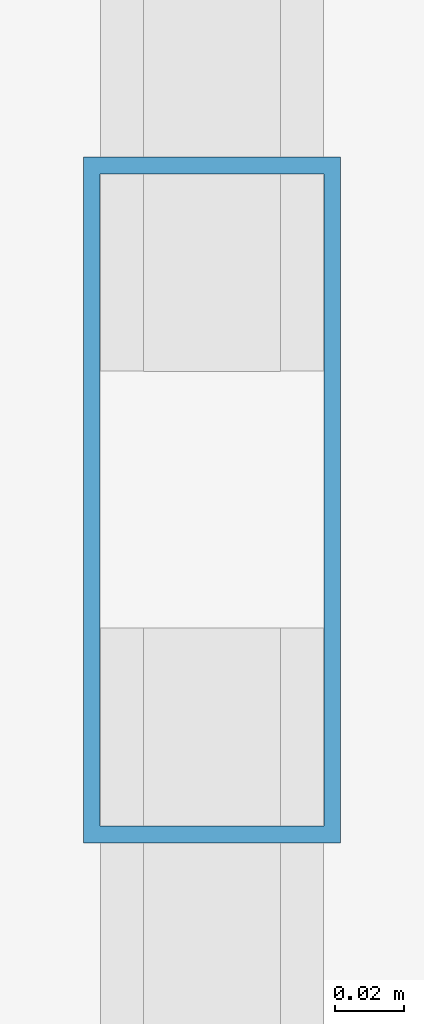
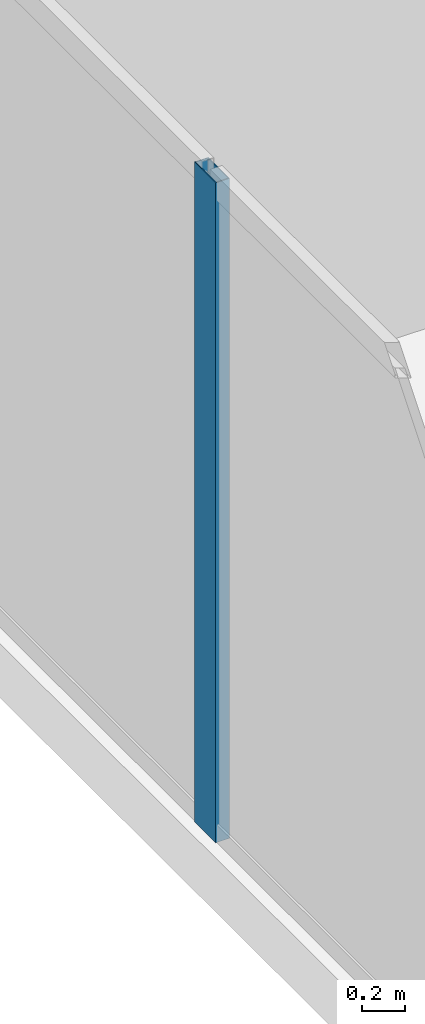
# One storey, part 8 of 31: 1 member, 1 element without a shape of its own.
"""IFC4 building model written with IfcOpenShell, lengths in metres."""

from ifc_helpers import new_model, si_unit, direction, frame, origin, origin_2d, place, context, subcontext, project, spatial, hollow_rectangle, extrude, source, transform, mapped, material, layer, layer_set, material_profile, profile_set, type_object, type_shapes, element, aggregate, save


model = new_model("IFC4")

# Units and contexts
model_context = context("Model", 3, precision=1e-05, world=origin(), true_north=direction((0.0, 1.0)))
body_context = subcontext(model_context, "Body", "Model", "MODEL_VIEW")
ifc_project = project(units=[si_unit("LENGTHUNIT", "METRE"), si_unit("AREAUNIT", "SQUARE_METRE"), si_unit("VOLUMEUNIT", "CUBIC_METRE"), si_unit("PLANEANGLEUNIT", "RADIAN"), si_unit("MASSUNIT", "GRAM", prefix="KILO")], contexts=[model_context])

# Site, building, storey
site_placement = place(None, origin())
site = spatial("IfcSite", under=ifc_project, at=site_placement, CompositionType="ELEMENT")
building_placement = place(site_placement, origin())
building = spatial("IfcBuilding", under=site, at=building_placement, Name="Haelvirn Gate Laboratories", CompositionType="ELEMENT")
storey_placement = place(building_placement, frame((0.0, 0.0, 154.300048828125)))
storey = spatial("IfcBuildingStorey", under=building, at=storey_placement, Name="L37", CompositionType="ELEMENT", Elevation=154.300048828125)

# Curtain wall, member
ifc_material_1 = material(Name="Anodised bronze unitised aluminium & triple low-E glass", Category="aluminium")
ifc_layer = layer(ifc_material_1, 0.179931640625, Name="CW-SYS-3")
ifc_layer_set = layer_set([ifc_layer], Name="Anodised bronze unitised aluminium & triple low-E glass")
curtain_wall_type = type_object("IfcCurtainWallType", Name="CW-SYS-3", PredefinedType="NOTDEFINED", material=ifc_layer_set)
curtain_wall_placement = place(storey_placement, origin())
curtain_wall = element("IfcCurtainWall", 1, at=curtain_wall_placement, inside=storey, type_object=curtain_wall_type, Name="L37 Unitised Curtain Wall CW-L37-P0-E17", PredefinedType="NOTDEFINED")
ifc_material_2 = material(Name="Extruded aluminium 6063-T6 (anodised bronze)", Category="aluminium")
ifc_material_profile = material_profile(ifc_material_2, hollow_rectangle(XDim=0.074951171875, YDim=0.199951171875, WallThickness=0.0048828125, at=origin_2d()), Name="CWM-200x75x5")
ifc_profile_set = profile_set([ifc_material_profile], Name="Extruded aluminium 6063-T6 (anodised bronze)")
member_type = type_object("IfcMemberType", Name="CWM-T200", PredefinedType="MULLION", material=ifc_profile_set)
shared_shape = source(origin(), body_context, "Body", "SweptSolid", [
    extrude(hollow_rectangle(XDim=0.074951171875, YDim=0.199951171875, WallThickness=0.0048828125, at=origin_2d()), origin(), (0.0, 0.0, 1.0), 3.7900390625),
])
type_shapes(member_type, [shared_shape])
member_placement = place(storey_placement, frame((2.10009765625, 30.966552734375, 0.0), z_axis=(0.0, 0.0, 1.0), x_axis=(1.0, 0.0, 0.0)))
member = element("IfcMember", 2, at=member_placement, type_object=member_type, Name="CW3 mullion 2", PredefinedType="MULLION", context=body_context, shape_type="MappedRepresentation", body=[
    mapped(shared_shape, transform((0.0, 0.0, 0.0), scale=1.0)),
])
aggregate(curtain_wall, [member])

save(model, "model.ifc")
